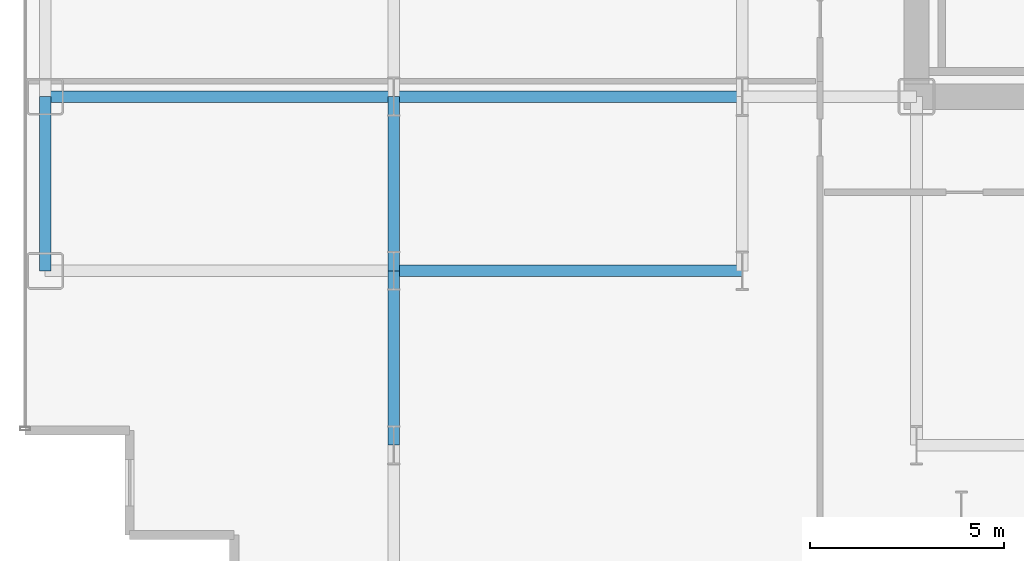
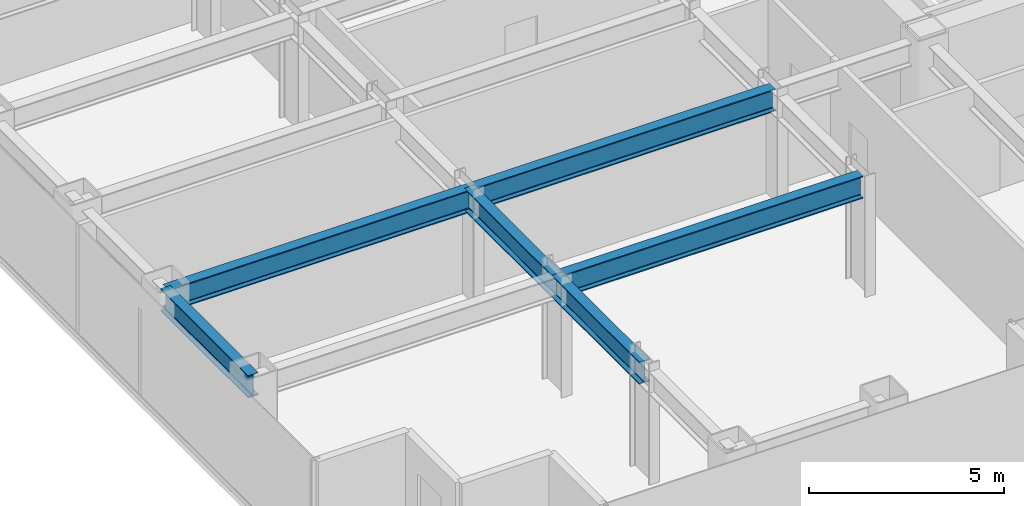
# One storey, part 3 of 25: 6 beams.
"""IFC4 building model written with IfcOpenShell, lengths in metres."""

from ifc_helpers import new_model, si_unit, direction, frame, origin, origin_2d, place, context, subcontext, project, spatial, i_section, extrude, source, transform, mapped, material, material_profile, profile_set, type_object, element, save


model = new_model("IFC4")

# Units and contexts
model_context = context("Model", 3, precision=1e-05, world=origin(), true_north=direction((0.0, 1.0)))
body_context = subcontext(model_context, "Body", "Model", "MODEL_VIEW")
ifc_project = project(units=[si_unit("LENGTHUNIT", "METRE"), si_unit("AREAUNIT", "SQUARE_METRE"), si_unit("VOLUMEUNIT", "CUBIC_METRE"), si_unit("PLANEANGLEUNIT", "RADIAN"), si_unit("MASSUNIT", "GRAM", prefix="KILO")], contexts=[model_context])

# Site, building, storey
site_placement = place(None, origin())
site = spatial("IfcSite", under=ifc_project, at=site_placement, CompositionType="ELEMENT")
building_placement = place(site_placement, origin())
building = spatial("IfcBuilding", under=site, at=building_placement, Name="Nefas-Gora Pilgrimage Tower", CompositionType="ELEMENT")
storey_placement = place(building_placement, frame((0.0, 0.0, 71.0)))
storey = spatial("IfcBuildingStorey", under=building, at=storey_placement, Name="L16", CompositionType="ELEMENT", Elevation=71.0)

# Beams
ifc_material = material(Name="Steel S355", Category="steel")
ifc_material_profile_1 = material_profile(ifc_material, i_section(OverallWidth=0.300048828125, OverallDepth=0.699951171875, WebThickness=0.01708984375, FlangeThickness=0.031982421875, FilletRadius=0.027099609375, at=origin_2d()), Name="HEB 700")
ifc_profile_set_1 = profile_set([ifc_material_profile_1], Name="Steel S355")
beam_type_1 = type_object("IfcBeamType", Name="BM-SPN-HEB600", PredefinedType="SPANDREL", material=ifc_profile_set_1)
shared_shape_1 = source(origin(), body_context, "Body", "SweptSolid", [
    extrude(i_section(OverallWidth=0.300048828125, OverallDepth=0.699951171875, WebThickness=0.01708984375, FlangeThickness=0.031982421875, FilletRadius=0.027099609375, at=origin_2d()), origin(), (0.0, 0.0, 1.0), 4.5),
])
beam_placement = place(storey_placement, frame((-33.75, -13.5, 3.199951171875), z_axis=(0.0, 1.0, 0.0), x_axis=(-1.0, 0.0, 0.0)))
element("IfcBeam", 1, at=beam_placement, inside=storey, type_object=beam_type_1, Name="L16 SP-01 beam", PredefinedType="SPANDREL", context=body_context, shape_type="MappedRepresentation", body=[
    mapped(shared_shape_1, transform((0.0, 0.0, 0.0), x_axis=(1.0, 0.0, 0.0), y_axis=(0.0, 1.0, 0.0), z_axis=(0.0, 0.0, 1.0), scale=1.0)),
])
ifc_material_profile_2 = material_profile(ifc_material, i_section(OverallWidth=0.300048828125, OverallDepth=0.699951171875, WebThickness=0.01708984375, FlangeThickness=0.031982421875, FilletRadius=0.027099609375, at=origin_2d()), Name="HEB 700")
ifc_profile_set_2 = profile_set([ifc_material_profile_2], Name="Steel S355")
beam_type_2 = type_object("IfcBeamType", Name="BM-GIR-HEB700", PredefinedType="BEAM", material=ifc_profile_set_2)
shared_shape_2 = source(origin(), body_context, "Body", "SweptSolid", [
    extrude(i_section(OverallWidth=0.300048828125, OverallDepth=0.699951171875, WebThickness=0.01708984375, FlangeThickness=0.031982421875, FilletRadius=0.027099609375, at=origin_2d()), origin(), (0.0, 0.0, 1.0), 9.0),
])
for number, where, z_axis, x_axis, name in (
    (2, (-33.75, -9.0, 3.199951171875), (1.0, 0.0, 0.0), (0.0, 1.0, 0.0), "L16 G-02 beam"),
    (3, (-24.75, -13.5, 3.199951171875), (1.0, 0.0, 0.0), (0.0, 1.0, 0.0), "L16 G-02 beam"),
    (4, (-24.75, -9.0, 3.199951171875), (1.0, 0.0, 0.0), (0.0, 1.0, 0.0), "L16 G-02 beam"),
):
    element("IfcBeam", number, at=place(storey_placement, frame(where, z_axis=z_axis, x_axis=x_axis)), inside=storey, type_object=beam_type_2, Name=name, PredefinedType="BEAM", context=body_context, shape_type="MappedRepresentation", body=[
        mapped(shared_shape_2, transform((0.0, 0.0, 0.0), x_axis=(1.0, 0.0, 0.0), y_axis=(0.0, 1.0, 0.0), z_axis=(0.0, 0.0, 1.0), scale=1.0)),
    ])
shared_shape_3 = source(origin(), body_context, "Body", "SweptSolid", [
    extrude(i_section(OverallWidth=0.300048828125, OverallDepth=0.699951171875, WebThickness=0.01708984375, FlangeThickness=0.031982421875, FilletRadius=0.027099609375, at=origin_2d()), origin(), (0.0, 0.0, 1.0), 4.5),
])
for number, where, z_axis, x_axis, name in (
    (5, (-24.75, -18.0, 3.199951171875), (0.0, 1.0, 0.0), (-1.0, 0.0, 0.0), "L16 G-02 beam"),
    (6, (-24.75, -13.5, 3.199951171875), (0.0, 1.0, 0.0), (-1.0, 0.0, 0.0), "L16 G-02 beam"),
):
    element("IfcBeam", number, at=place(storey_placement, frame(where, z_axis=z_axis, x_axis=x_axis)), inside=storey, type_object=beam_type_2, Name=name, PredefinedType="BEAM", context=body_context, shape_type="MappedRepresentation", body=[
        mapped(shared_shape_3, transform((0.0, 0.0, 0.0), x_axis=(1.0, 0.0, 0.0), y_axis=(0.0, 1.0, 0.0), z_axis=(0.0, 0.0, 1.0), scale=1.0)),
    ])

save(model, "model.ifc")
